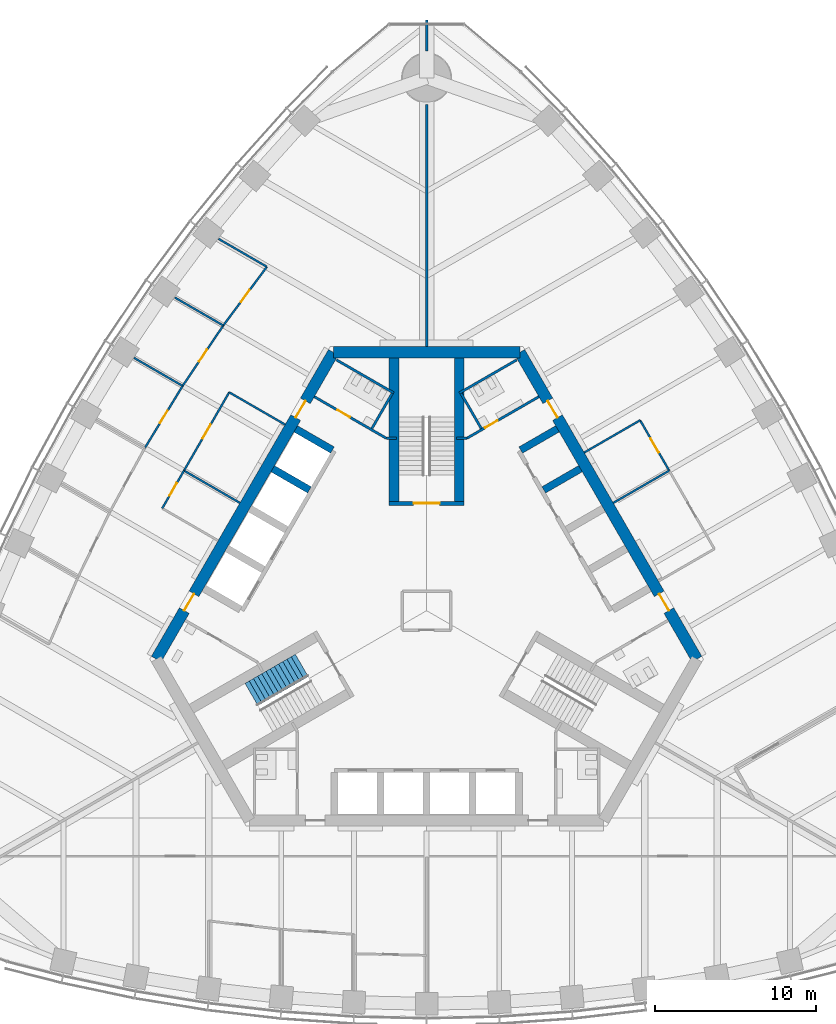
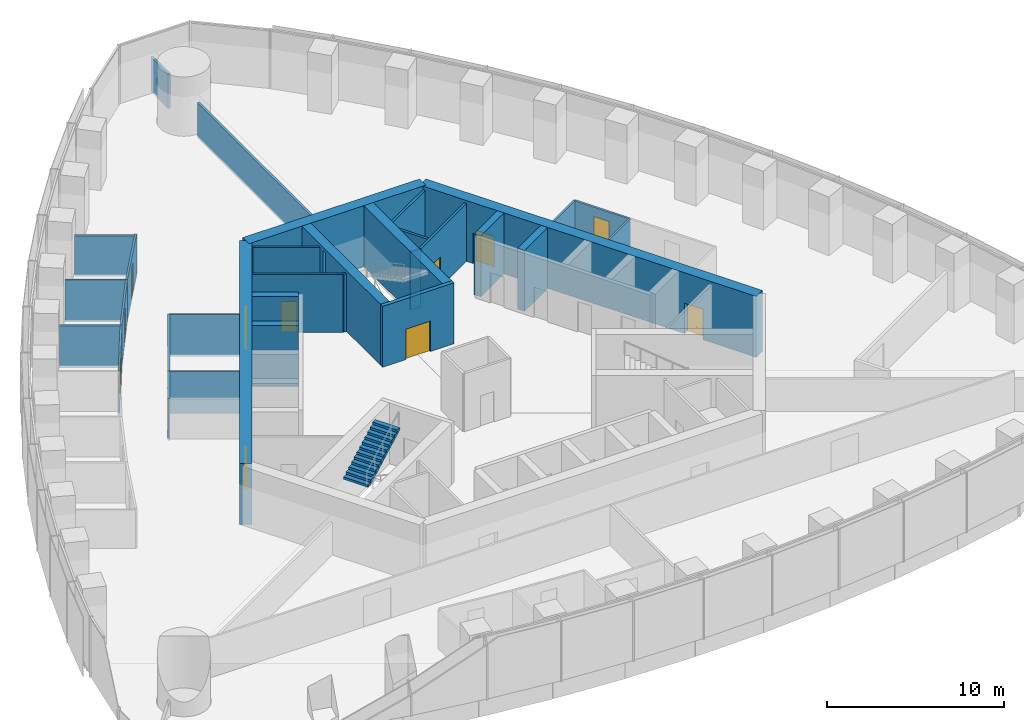
# One storey, part 13 of 19: 33 walls, 13 doors, 1 stair flight, 13 openings, 1 element without a shape of its own.
"""IFC4 building model written with IfcOpenShell, lengths in metres."""

from ifc_helpers import new_model, si_unit, direction, frame, frame_2d, origin, place, context, subcontext, project, spatial, polyline, rectangle, outline, extrude, material, layer, layer_set, type_object, element, fill, aggregate, save


model = new_model("IFC4")

# Units and contexts
model_context = context("Model", 3, precision=1e-05, world=origin(), true_north=direction((0.0, 1.0)))
body_context = subcontext(model_context, "Body", "Model", "MODEL_VIEW")
ifc_project = project(units=[si_unit("LENGTHUNIT", "METRE"), si_unit("AREAUNIT", "SQUARE_METRE"), si_unit("VOLUMEUNIT", "CUBIC_METRE"), si_unit("PLANEANGLEUNIT", "RADIAN"), si_unit("MASSUNIT", "GRAM", prefix="KILO")], contexts=[model_context])

# Site, building, storey
site_placement = place(None, origin())
site = spatial("IfcSite", under=ifc_project, at=site_placement, CompositionType="ELEMENT")
building_placement = place(site_placement, origin())
building = spatial("IfcBuilding", under=site, at=building_placement, Name="Trefoil Bronze Tower", CompositionType="ELEMENT")
storey_placement = place(building_placement, frame((0.0, 0.0, 244.300048828125)))
storey = spatial("IfcBuildingStorey", under=building, at=storey_placement, Name="L56", CompositionType="ELEMENT", Elevation=244.300048828125)

# Wall, openings, doors
ifc_material_1 = material(Name="Concrete B80", Category="concrete")
ifc_layer_1 = layer(ifc_material_1, 0.699951171875)
ifc_layer_set_1 = layer_set([ifc_layer_1], Name="Core wall 700")
wall_type_1 = type_object("IfcWallType", Name="Core wall 700", PredefinedType="SHEAR", material=ifc_layer_set_1)
wall_1_placement = place(storey_placement, frame((16.7431640625, -3.0, 0.0), z_axis=(0.0, 0.0, 1.0), x_axis=(-0.500002442456, 0.866023993627, 0.0)))
wall_1 = element("IfcWall", 1, at=wall_1_placement, inside=storey, type_object=wall_type_1, Name="Core long wall 2 L56", PredefinedType="SHEAR", context=body_context, shape_type="SweptSolid", body=[
    extrude(rectangle(XDim=21.939453125, YDim=0.699951171875, at=frame_2d((10.9697265625, 0.0))), origin(), (0.0, 0.0, 1.0), 4.199951171875),
])
opening_1_placement = place(wall_1_placement, frame((17.269775390625, 0.0, 0.0)))
opening_1 = element("IfcOpeningElement", 2, at=opening_1_placement, cuts=wall_1, Name="Opening D2", PredefinedType="OPENING", context=body_context, shape_type="SweptSolid", body=[
    extrude(rectangle(XDim=1.199951171875, YDim=2.10009765625, at=frame_2d((0.60009765625, 1.050048828125))), frame((0.0, 0.35986328125, 0.0), z_axis=(0.0, -1.0, 0.0), x_axis=(1.0, 0.0, 0.0)), (0.0, 0.0, 1.0), 0.719970703125),
])
opening_2_placement = place(wall_1_placement, frame((3.4697265625, 0.0, 0.0)))
opening_2 = element("IfcOpeningElement", 3, at=opening_2_placement, cuts=wall_1, Name="Opening D2", PredefinedType="OPENING", context=body_context, shape_type="SweptSolid", body=[
    extrude(rectangle(XDim=1.199951171875, YDim=2.10009765625, at=frame_2d((0.60009765625, 1.050048828125))), frame((0.0, 0.35986328125, 0.0), z_axis=(0.0, -1.0, 0.0), x_axis=(1.0, 0.0, 0.0)), (0.0, 0.0, 1.0), 0.719970703125),
])
ifc_material_2 = material(Name="Steel door", Category="steel")
door_type_1 = type_object("IfcDoorType", Name="Lobby door 1200", OperationType="SINGLE_SWING_RIGHT", PredefinedType="DOOR", material=ifc_material_2)
door_1_placement = place(opening_1_placement, origin())
door_1 = element("IfcDoor", 4, at=door_1_placement, inside=storey, type_object=door_type_1, Name="Lobby door F2+ L56", OperationType="SINGLE_SWING_RIGHT", OverallHeight=2.10009765625, OverallWidth=1.199951171875, PredefinedType="DOOR", context=body_context, shape_type="SweptSolid", body=[
    extrude(rectangle(XDim=1.199951171875, YDim=2.10009765625, at=frame_2d((0.60009765625, 1.050048828125))), frame((0.0, 0.02490234375, 0.0), z_axis=(0.0, -1.0, 0.0), x_axis=(1.0, 0.0, 0.0)), (0.0, 0.0, 1.0), 0.050048828125),
])
fill(opening_1, door_1)
door_2_placement = place(opening_2_placement, origin())
door_2 = element("IfcDoor", 5, at=door_2_placement, inside=storey, type_object=door_type_1, Name="Lobby door F2- L56", OperationType="SINGLE_SWING_LEFT", OverallHeight=2.10009765625, OverallWidth=1.199951171875, PredefinedType="DOOR", context=body_context, shape_type="SweptSolid", body=[
    extrude(rectangle(XDim=1.199951171875, YDim=2.10009765625, at=frame_2d((0.60009765625, 1.050048828125))), frame((0.0, 0.02490234375, 0.0), z_axis=(0.0, -1.0, 0.0), x_axis=(1.0, 0.0, 0.0)), (0.0, 0.0, 1.0), 0.050048828125),
])
fill(opening_2, door_2)

# Wall
wall_2_placement = place(storey_placement, frame((5.7734375, 16.0, 0.0), z_axis=(0.0, 0.0, 1.0), x_axis=(-1.0, 0.0, 0.0)))
element("IfcWall", 6, at=wall_2_placement, inside=storey, type_object=wall_type_1, Name="Core short wall 2 L56", PredefinedType="SHEAR", context=body_context, shape_type="SweptSolid", body=[
    extrude(rectangle(XDim=11.546875, YDim=0.699951171875, at=frame_2d((5.7734375, 0.0))), origin(), (0.0, 0.0, 1.0), 4.199951171875),
])

# Wall, openings, doors
wall_3_placement = place(storey_placement, frame((-5.7734375, 16.0, 0.0), z_axis=(0.0, 0.0, 1.0), x_axis=(-0.500002442456, -0.866023993627, 0.0)))
wall_3 = element("IfcWall", 7, at=wall_3_placement, inside=storey, type_object=wall_type_1, Name="Core long wall 3 L56", PredefinedType="SHEAR", context=body_context, shape_type="SweptSolid", body=[
    extrude(rectangle(XDim=21.939453125, YDim=0.699951171875, at=frame_2d((10.9697265625, 0.0))), origin(), (0.0, 0.0, 1.0), 4.199951171875),
])
opening_3_placement = place(wall_3_placement, frame((17.269775390625, 0.0, 0.0)))
opening_3 = element("IfcOpeningElement", 8, at=opening_3_placement, cuts=wall_3, Name="Opening D2", PredefinedType="OPENING", context=body_context, shape_type="SweptSolid", body=[
    extrude(rectangle(XDim=1.199951171875, YDim=2.10009765625, at=frame_2d((0.60009765625, 1.050048828125))), frame((0.0, 0.35986328125, 0.0), z_axis=(0.0, -1.0, 0.0), x_axis=(1.0, 0.0, 0.0)), (0.0, 0.0, 1.0), 0.719970703125),
])
opening_4_placement = place(wall_3_placement, frame((3.4697265625, 0.0, 0.0)))
opening_4 = element("IfcOpeningElement", 9, at=opening_4_placement, cuts=wall_3, Name="Opening D2", PredefinedType="OPENING", context=body_context, shape_type="SweptSolid", body=[
    extrude(rectangle(XDim=1.199951171875, YDim=2.10009765625, at=frame_2d((0.60009765625, 1.050048828125))), frame((0.0, 0.35986328125, 0.0), z_axis=(0.0, -1.0, 0.0), x_axis=(1.0, 0.0, 0.0)), (0.0, 0.0, 1.0), 0.719970703125),
])
door_3_placement = place(opening_3_placement, origin())
door_3 = element("IfcDoor", 10, at=door_3_placement, inside=storey, type_object=door_type_1, Name="Lobby door F3+ L56", OperationType="SINGLE_SWING_RIGHT", OverallHeight=2.10009765625, OverallWidth=1.199951171875, PredefinedType="DOOR", context=body_context, shape_type="SweptSolid", body=[
    extrude(rectangle(XDim=1.199951171875, YDim=2.10009765625, at=frame_2d((0.60009765625, 1.050048828125))), frame((0.0, 0.02490234375, 0.0), z_axis=(0.0, -1.0, 0.0), x_axis=(1.0, 0.0, 0.0)), (0.0, 0.0, 1.0), 0.050048828125),
])
fill(opening_3, door_3)
door_4_placement = place(opening_4_placement, origin())
door_4 = element("IfcDoor", 11, at=door_4_placement, inside=storey, type_object=door_type_1, Name="Lobby door F3- L56", OperationType="SINGLE_SWING_LEFT", OverallHeight=2.10009765625, OverallWidth=1.199951171875, PredefinedType="DOOR", context=body_context, shape_type="SweptSolid", body=[
    extrude(rectangle(XDim=1.199951171875, YDim=2.10009765625, at=frame_2d((0.60009765625, 1.050048828125))), frame((0.0, 0.02490234375, 0.0), z_axis=(0.0, -1.0, 0.0), x_axis=(1.0, 0.0, 0.0)), (0.0, 0.0, 1.0), 0.050048828125),
])
fill(opening_4, door_4)

# Wall, opening, door
ifc_material_3 = material(Name="Glazed partition", Category="glass")
ifc_layer_2 = layer(ifc_material_3, 0.1201171875)
ifc_layer_set_2 = layer_set([ifc_layer_2], Name="Glazed partition 120")
wall_type_2 = type_object("IfcWallType", Name="Glazed partition 120", PredefinedType="PARTITIONING", material=ifc_layer_set_2)
wall_4_placement = place(storey_placement, frame((15.025634765625, 8.675048828125, 0.0), z_axis=(0.0, 0.0, 1.0), x_axis=(-0.500012057535, 0.866018442252, 0.0)))
wall_4 = element("IfcWall", 12, at=wall_4_placement, inside=storey, type_object=wall_type_2, Name="Partition F2 L56", PredefinedType="PARTITIONING", context=body_context, shape_type="SweptSolid", body=[
    extrude(rectangle(XDim=3.60009765625, YDim=0.1201171875, at=frame_2d((1.800048828125, 0.0))), origin(), (0.0, 0.0, 1.0), 2.89990234375),
])
opening_5_placement = place(wall_4_placement, frame((1.300048828125, 0.0, 0.14990234375)))
opening_5 = element("IfcOpeningElement", 13, at=opening_5_placement, cuts=wall_4, Name="Opening D9", PredefinedType="OPENING", context=body_context, shape_type="SweptSolid", body=[
    extrude(rectangle(XDim=1.0, YDim=2.10009765625, at=frame_2d((0.5, 1.050048828125))), frame((0.0, 0.070068359375, 0.0), z_axis=(0.0, -1.0, 0.0), x_axis=(1.0, 0.0, 0.0)), (0.0, 0.0, 1.0), 0.14013671875),
])
ifc_material_4 = material(Name="Glazed timber door", Category="wood")
door_type_2 = type_object("IfcDoorType", Name="Meeting room door 1000", OperationType="SINGLE_SWING_LEFT", PredefinedType="DOOR", material=ifc_material_4)
door_5_placement = place(opening_5_placement, origin())
door_5 = element("IfcDoor", 14, at=door_5_placement, inside=storey, type_object=door_type_2, Name="Meeting room door F2 L56", OperationType="SINGLE_SWING_LEFT", OverallHeight=2.10009765625, OverallWidth=1.0, PredefinedType="DOOR", context=body_context, shape_type="SweptSolid", body=[
    extrude(rectangle(XDim=1.0, YDim=2.10009765625, at=frame_2d((0.5, 1.050048828125))), frame((0.0, 0.02490234375, 0.0), z_axis=(0.0, -1.0, 0.0), x_axis=(1.0, 0.0, 0.0)), (0.0, 0.0, 1.0), 0.050048828125),
])
fill(opening_5, door_5)

# Walls
for number, where, z_axis, x_axis, name in (
    (15, (9.761474609375, 9.792724609375, 0.0), (0.0, 0.0, 1.0), (0.866026010844, 0.49999894854, 0.0), "Partition F2 L56"),
    (16, (11.5615234375, 6.675048828125, 0.0), (0.0, 0.0, 1.0), (0.866026010844, 0.49999894854, 0.0), "Partition F2 L56"),
):
    element("IfcWall", number, at=place(storey_placement, frame(where, z_axis=z_axis, x_axis=x_axis)), inside=storey, type_object=wall_type_2, Name=name, PredefinedType="PARTITIONING", context=body_context, shape_type="SweptSolid", body=[
        extrude(rectangle(XDim=4.0, YDim=0.1201171875, at=frame_2d((2.0, 0.0))), origin(), (0.0, 0.0, 1.0), 2.89990234375),
    ])

# Wall, opening, door
wall_5_placement = place(storey_placement, frame((-15.025634765625, 8.675048828125, 0.0), z_axis=(0.0, 0.0, 1.0), x_axis=(-0.4999416173, -0.866059108428, 0.0)))
wall_5 = element("IfcWall", 17, at=wall_5_placement, inside=storey, type_object=wall_type_2, Name="Partition F3 L56", PredefinedType="PARTITIONING", context=body_context, shape_type="SweptSolid", body=[
    extrude(rectangle(XDim=2.699951171875, YDim=0.1201171875, at=frame_2d((1.35009765625, 0.0))), origin(), (0.0, 0.0, 1.0), 2.89990234375),
])
opening_6_placement = place(wall_5_placement, frame((0.89990234375, 0.0, 0.14990234375)))
opening_6 = element("IfcOpeningElement", 18, at=opening_6_placement, cuts=wall_5, Name="Opening D8", PredefinedType="OPENING", context=body_context, shape_type="SweptSolid", body=[
    extrude(rectangle(XDim=0.89990234375, YDim=2.10009765625, at=frame_2d((0.449951171875, 1.050048828125))), frame((0.0, 0.070068359375, 0.0), z_axis=(0.0, -1.0, 0.0), x_axis=(1.0, 0.0, 0.0)), (0.0, 0.0, 1.0), 0.14013671875),
])
ifc_material_5 = material(Name="Timber door", Category="wood")
door_type_3 = type_object("IfcDoorType", Name="Office door 900", OperationType="SINGLE_SWING_LEFT", PredefinedType="DOOR", material=ifc_material_5)
door_6_placement = place(opening_6_placement, origin())
door_6 = element("IfcDoor", 19, at=door_6_placement, inside=storey, type_object=door_type_3, Name="Pantry door F3 L56", OperationType="SINGLE_SWING_RIGHT", OverallHeight=2.10009765625, OverallWidth=0.89990234375, PredefinedType="DOOR", context=body_context, shape_type="SweptSolid", body=[
    extrude(rectangle(XDim=0.89990234375, YDim=2.10009765625, at=frame_2d((0.449951171875, 1.050048828125))), frame((0.0, 0.02490234375, 0.0), z_axis=(0.0, -1.0, 0.0), x_axis=(1.0, 0.0, 0.0)), (0.0, 0.0, 1.0), 0.050048828125),
])
fill(opening_6, door_6)

wall_6_placement = place(storey_placement, frame((-12.2255859375, 13.524658203125, 0.0), z_axis=(0.0, 0.0, 1.0), x_axis=(-0.500016814911, -0.866015695474, 0.0)))
wall_6 = element("IfcWall", 20, at=wall_6_placement, inside=storey, type_object=wall_type_2, Name="Partition F3 L56", PredefinedType="PARTITIONING", context=body_context, shape_type="SweptSolid", body=[
    extrude(rectangle(XDim=5.599853515625, YDim=0.1201171875, at=frame_2d((2.7998046875, 0.0))), origin(), (0.0, 0.0, 1.0), 2.89990234375),
])
opening_7_placement = place(wall_6_placement, frame((2.300048828125, 0.0, 0.14990234375)))
opening_7 = element("IfcOpeningElement", 21, at=opening_7_placement, cuts=wall_6, Name="Opening D9", PredefinedType="OPENING", context=body_context, shape_type="SweptSolid", body=[
    extrude(rectangle(XDim=1.0, YDim=2.10009765625, at=frame_2d((0.5, 1.050048828125))), frame((0.0, 0.070068359375, 0.0), z_axis=(0.0, -1.0, 0.0), x_axis=(1.0, 0.0, 0.0)), (0.0, 0.0, 1.0), 0.14013671875),
])
door_7_placement = place(opening_7_placement, origin())
door_7 = element("IfcDoor", 22, at=door_7_placement, inside=storey, type_object=door_type_2, Name="Meeting room door F3 L56", OperationType="SINGLE_SWING_RIGHT", OverallHeight=2.10009765625, OverallWidth=1.0, PredefinedType="DOOR", context=body_context, shape_type="SweptSolid", body=[
    extrude(rectangle(XDim=1.0, YDim=2.10009765625, at=frame_2d((0.5, 1.050048828125))), frame((0.0, 0.02490234375, 0.0), z_axis=(0.0, -1.0, 0.0), x_axis=(1.0, 0.0, 0.0)), (0.0, 0.0, 1.0), 0.050048828125),
])
fill(opening_7, door_7)

# Walls
for number, where, z_axis, x_axis, name in (
    (23, (-11.5615234375, 6.675048828125, 0.0), (0.0, 0.0, 1.0), (-0.866026010844, 0.49999894854, 0.0), "Partition F3 L56"),
    (24, (-8.761474609375, 11.524658203125, 0.0), (0.0, 0.0, 1.0), (-0.866026010844, 0.49999894854, 0.0), "Partition F3 L56"),
):
    element("IfcWall", number, at=place(storey_placement, frame(where, z_axis=z_axis, x_axis=x_axis)), inside=storey, type_object=wall_type_2, Name=name, PredefinedType="PARTITIONING", context=body_context, shape_type="SweptSolid", body=[
        extrude(rectangle(XDim=4.0, YDim=0.1201171875, at=frame_2d((2.0, 0.0))), origin(), (0.0, 0.0, 1.0), 2.89990234375),
    ])

# Wall, opening, door
wall_7_placement = place(storey_placement, frame((-9.8916015625, 21.29931640625, 0.0), z_axis=(0.0, 0.0, 1.0), x_axis=(-0.596173167565, -0.802855873912, 0.0)))
wall_7 = element("IfcWall", 25, at=wall_7_placement, inside=storey, type_object=wall_type_2, Name="Partition F3 L56", PredefinedType="PARTITIONING", context=body_context, shape_type="SweptSolid", body=[
    extrude(rectangle(XDim=4.530029296875, YDim=0.1201171875, at=frame_2d((2.26513671875, 0.0))), origin(), (0.0, 0.0, 1.0), 2.89990234375),
])
opening_8_placement = place(wall_7_placement, frame((1.800048828125, 0.0, 0.14990234375)))
opening_8 = element("IfcOpeningElement", 26, at=opening_8_placement, cuts=wall_7, Name="Opening D8", PredefinedType="OPENING", context=body_context, shape_type="SweptSolid", body=[
    extrude(rectangle(XDim=0.89990234375, YDim=2.10009765625, at=frame_2d((0.449951171875, 1.050048828125))), frame((0.0, 0.070068359375, 0.0), z_axis=(0.0, -1.0, 0.0), x_axis=(1.0, 0.0, 0.0)), (0.0, 0.0, 1.0), 0.14013671875),
])
door_8_placement = place(opening_8_placement, frame((0.89990234375, 0.0, 0.0), z_axis=(0.0, 0.0, 1.0), x_axis=(-1.0, 0.0, 0.0)))
door_8 = element("IfcDoor", 27, at=door_8_placement, inside=storey, type_object=door_type_3, Name="Office door F3 L56", OperationType="SINGLE_SWING_RIGHT", OverallHeight=2.10009765625, OverallWidth=0.89990234375, PredefinedType="DOOR", context=body_context, shape_type="SweptSolid", body=[
    extrude(rectangle(XDim=0.89990234375, YDim=2.10009765625, at=frame_2d((0.449951171875, 1.050048828125))), frame((0.0, 0.02490234375, 0.0), z_axis=(0.0, -1.0, 0.0), x_axis=(1.0, 0.0, 0.0)), (0.0, 0.0, 1.0), 0.050048828125),
])
fill(opening_8, door_8)

wall_8_placement = place(storey_placement, frame((-15.111328125, 13.920654296875, 0.0), z_axis=(0.0, 0.0, 1.0), x_axis=(-0.519790350351, -0.85429385558, 0.0)))
wall_8 = element("IfcWall", 28, at=wall_8_placement, inside=storey, type_object=wall_type_2, Name="Partition F3 L56", PredefinedType="PARTITIONING", context=body_context, shape_type="SweptSolid", body=[
    extrude(rectangle(XDim=4.5009765625, YDim=0.1201171875, at=frame_2d((2.25048828125, 0.0))), origin(), (0.0, 0.0, 1.0), 2.89990234375),
])
opening_9_placement = place(wall_8_placement, frame((1.800048828125, 0.0, 0.14990234375)))
opening_9 = element("IfcOpeningElement", 29, at=opening_9_placement, cuts=wall_8, Name="Opening D8", PredefinedType="OPENING", context=body_context, shape_type="SweptSolid", body=[
    extrude(rectangle(XDim=0.89990234375, YDim=2.10009765625, at=frame_2d((0.449951171875, 1.050048828125))), frame((0.0, 0.070068359375, 0.0), z_axis=(0.0, -1.0, 0.0), x_axis=(1.0, 0.0, 0.0)), (0.0, 0.0, 1.0), 0.14013671875),
])
door_9_placement = place(opening_9_placement, frame((0.89990234375, 0.0, 0.0), z_axis=(0.0, 0.0, 1.0), x_axis=(-1.0, 0.0, 0.0)))
door_9 = element("IfcDoor", 30, at=door_9_placement, inside=storey, type_object=door_type_3, Name="Office door F3 L56", OperationType="SINGLE_SWING_RIGHT", OverallHeight=2.10009765625, OverallWidth=0.89990234375, PredefinedType="DOOR", context=body_context, shape_type="SweptSolid", body=[
    extrude(rectangle(XDim=0.89990234375, YDim=2.10009765625, at=frame_2d((0.449951171875, 1.050048828125))), frame((0.0, 0.02490234375, 0.0), z_axis=(0.0, -1.0, 0.0), x_axis=(1.0, 0.0, 0.0)), (0.0, 0.0, 1.0), 0.050048828125),
])
fill(opening_9, door_9)

wall_9_placement = place(storey_placement, frame((-12.59228515625, 17.662353515625, 0.0), z_axis=(0.0, 0.0, 1.0), x_axis=(-0.558466624917, -0.829526991034, 0.0)))
wall_9 = element("IfcWall", 31, at=wall_9_placement, inside=storey, type_object=wall_type_2, Name="Partition F3 L56", PredefinedType="PARTITIONING", context=body_context, shape_type="SweptSolid", body=[
    extrude(rectangle(XDim=4.5107421875, YDim=0.1201171875, at=frame_2d((2.25537109375, 0.0))), origin(), (0.0, 0.0, 1.0), 2.89990234375),
])
opening_10_placement = place(wall_9_placement, frame((1.800048828125, 0.0, 0.14990234375)))
opening_10 = element("IfcOpeningElement", 32, at=opening_10_placement, cuts=wall_9, Name="Opening D8", PredefinedType="OPENING", context=body_context, shape_type="SweptSolid", body=[
    extrude(rectangle(XDim=0.89990234375, YDim=2.10009765625, at=frame_2d((0.449951171875, 1.050048828125))), frame((0.0, 0.070068359375, 0.0), z_axis=(0.0, -1.0, 0.0), x_axis=(1.0, 0.0, 0.0)), (0.0, 0.0, 1.0), 0.14013671875),
])
door_10_placement = place(opening_10_placement, frame((0.89990234375, 0.0, 0.0), z_axis=(0.0, 0.0, 1.0), x_axis=(-1.0, 0.0, 0.0)))
door_10 = element("IfcDoor", 33, at=door_10_placement, inside=storey, type_object=door_type_3, Name="Office door F3 L56", OperationType="SINGLE_SWING_RIGHT", OverallHeight=2.10009765625, OverallWidth=0.89990234375, PredefinedType="DOOR", context=body_context, shape_type="SweptSolid", body=[
    extrude(rectangle(XDim=0.89990234375, YDim=2.10009765625, at=frame_2d((0.449951171875, 1.050048828125))), frame((0.0, 0.02490234375, 0.0), z_axis=(0.0, -1.0, 0.0), x_axis=(1.0, 0.0, 0.0)), (0.0, 0.0, 1.0), 0.050048828125),
])
fill(opening_10, door_10)

# Walls
wall_10_placement = place(storey_placement, frame((-9.8916015625, 21.29931640625, 0.0), z_axis=(0.0, 0.0, 1.0), x_axis=(-0.866012622712, 0.500022136814, 0.0)))
element("IfcWall", 34, at=wall_10_placement, inside=storey, type_object=wall_type_2, Name="Partition F3 L56", PredefinedType="PARTITIONING", context=body_context, shape_type="SweptSolid", body=[
    extrude(rectangle(XDim=3.455322265625, YDim=0.1201171875, at=frame_2d((1.7275390625, 0.0))), origin(), (0.0, 0.0, 1.0), 2.800048828125),
])
wall_11_placement = place(storey_placement, frame((-15.111328125, 13.920654296875, 0.0), z_axis=(0.0, 0.0, 1.0), x_axis=(-0.866016800201, 0.500014901547, 0.0)))
element("IfcWall", 35, at=wall_11_placement, inside=storey, type_object=wall_type_2, Name="Partition F3 L56", PredefinedType="PARTITIONING", context=body_context, shape_type="SweptSolid", body=[
    extrude(rectangle(XDim=3.46875, YDim=0.1201171875, at=frame_2d((1.734375, 0.0))), origin(), (0.0, 0.0, 1.0), 2.89990234375),
])
wall_12_placement = place(storey_placement, frame((-12.59228515625, 17.662353515625, 0.0), z_axis=(0.0, 0.0, 1.0), x_axis=(-0.866004813252, 0.500035662153, 0.0)))
element("IfcWall", 36, at=wall_12_placement, inside=storey, type_object=wall_type_2, Name="Partition F3 L56", PredefinedType="PARTITIONING", context=body_context, shape_type="SweptSolid", body=[
    extrude(rectangle(XDim=3.463623046875, YDim=0.1201171875, at=frame_2d((1.73193359375, 0.0))), origin(), (0.0, 0.0, 1.0), 2.89990234375),
])
ifc_material_6 = material(Name="Concrete B80", Category="concrete")
ifc_layer_3 = layer(ifc_material_6, 0.449951171875)
ifc_layer_set_3 = layer_set([ifc_layer_3], Name="Outrigger shaft wall 450")
wall_type_3 = type_object("IfcWallType", Name="Outrigger shaft wall 450", PredefinedType="SHEAR", material=ifc_layer_set_3)
for number, where, z_axis, x_axis, name in (
    (37, (7.2568359375, 7.480712890625, 0.0), (0.0, 0.0, 1.0), (0.866036909293, 0.499980071345, 0.0), "Lift shaft side wall B3 L56"),
    (38, (5.831787109375, 9.94873046875, 0.0), (0.0, 0.0, 1.0), (0.866036909293, 0.499980071345, 0.0), "Lift shaft side wall B4 L56"),
    (39, (-5.831787109375, 9.94873046875, 0.0), (0.0, 0.0, 1.0), (-0.866036909293, 0.499980071345, 0.0), "Lift shaft side wall C0 L56"),
    (40, (-7.2568359375, 7.480712890625, 0.0), (0.0, 0.0, 1.0), (-0.866036909293, 0.499980071345, 0.0), "Lift shaft side wall C1 L56"),
):
    element("IfcWall", number, at=place(storey_placement, frame(where, z_axis=z_axis, x_axis=x_axis)), inside=storey, type_object=wall_type_3, Name=name, PredefinedType="SHEAR", context=body_context, shape_type="SweptSolid", body=[
        extrude(rectangle(XDim=2.625, YDim=0.449951171875, at=frame_2d((1.3125, 0.0))), origin(), (0.0, 0.0, 1.0), 4.199951171875),
    ])

# Wall, opening, door
ifc_material_7 = material(Name="Gypsum board on steel studs", Category="steel")
ifc_layer_4 = layer(ifc_material_7, 0.14990234375)
ifc_layer_set_4 = layer_set([ifc_layer_4], Name="Partition 150")
wall_type_4 = type_object("IfcWallType", Name="Partition 150", PredefinedType="PARTITIONING", material=ifc_layer_set_4)
wall_13_placement = place(storey_placement, frame((2.4951171875, 10.67822265625, 0.0), z_axis=(0.0, 0.0, 1.0), x_axis=(0.866037967349, 0.499978238636, 0.0)))
wall_13 = element("IfcWall", 41, at=wall_13_placement, inside=storey, type_object=wall_type_4, Name="Passage wall F2+ L56", PredefinedType="PARTITIONING", context=body_context, shape_type="SweptSolid", body=[
    extrude(rectangle(XDim=5.150146484375, YDim=0.14990234375, at=frame_2d((2.5751953125, 0.0))), origin(), (0.0, 0.0, 1.0), 4.0),
])
opening_11_placement = place(wall_13_placement, frame((1.300048828125, 0.0, 0.0)))
opening_11 = element("IfcOpeningElement", 42, at=opening_11_placement, cuts=wall_13, Name="Opening D3", PredefinedType="OPENING", context=body_context, shape_type="SweptSolid", body=[
    extrude(rectangle(XDim=0.89990234375, YDim=2.10009765625, at=frame_2d((0.449951171875, 1.050048828125))), frame((0.0, 0.0849609375, 0.0), z_axis=(0.0, -1.0, 0.0), x_axis=(1.0, 0.0, 0.0)), (0.0, 0.0, 1.0), 0.169921875),
])
ifc_material_8 = material(Name="Timber door", Category="wood")
door_type_4 = type_object("IfcDoorType", Name="WC door 900", OperationType="SINGLE_SWING_LEFT", PredefinedType="DOOR", material=ifc_material_8)
door_11_placement = place(opening_11_placement, origin())
door_11 = element("IfcDoor", 43, at=door_11_placement, inside=storey, type_object=door_type_4, Name="WC (men) door L56", OperationType="SINGLE_SWING_LEFT", OverallHeight=2.10009765625, OverallWidth=0.89990234375, PredefinedType="DOOR", context=body_context, shape_type="SweptSolid", body=[
    extrude(rectangle(XDim=0.89990234375, YDim=2.10009765625, at=frame_2d((0.449951171875, 1.050048828125))), frame((0.0, 0.02490234375, 0.0), z_axis=(0.0, -1.0, 0.0), x_axis=(1.0, 0.0, 0.0)), (0.0, 0.0, 1.0), 0.050048828125),
])
fill(opening_11, door_11)

wall_14_placement = place(storey_placement, frame((-2.4951171875, 10.67822265625, 0.0), z_axis=(0.0, 0.0, 1.0), x_axis=(-0.866037967349, 0.499978238636, 0.0)))
wall_14 = element("IfcWall", 44, at=wall_14_placement, inside=storey, type_object=wall_type_4, Name="Passage wall F3- L56", PredefinedType="PARTITIONING", context=body_context, shape_type="SweptSolid", body=[
    extrude(rectangle(XDim=5.150146484375, YDim=0.14990234375, at=frame_2d((2.5751953125, 0.0))), origin(), (0.0, 0.0, 1.0), 4.0),
])
opening_12_placement = place(wall_14_placement, frame((2.60009765625, 0.0, 0.0)))
opening_12 = element("IfcOpeningElement", 45, at=opening_12_placement, cuts=wall_14, Name="Opening D3", PredefinedType="OPENING", context=body_context, shape_type="SweptSolid", body=[
    extrude(rectangle(XDim=0.89990234375, YDim=2.10009765625, at=frame_2d((0.449951171875, 1.050048828125))), frame((0.0, 0.0849609375, 0.0), z_axis=(0.0, -1.0, 0.0), x_axis=(1.0, 0.0, 0.0)), (0.0, 0.0, 1.0), 0.169921875),
])
door_12_placement = place(opening_12_placement, frame((0.89990234375, 0.0, 0.0), z_axis=(0.0, 0.0, 1.0), x_axis=(-1.0, 0.0, 0.0)))
door_12 = element("IfcDoor", 46, at=door_12_placement, inside=storey, type_object=door_type_4, Name="WC (women) door L56", OperationType="SINGLE_SWING_RIGHT", OverallHeight=2.10009765625, OverallWidth=0.89990234375, PredefinedType="DOOR", context=body_context, shape_type="SweptSolid", body=[
    extrude(rectangle(XDim=0.89990234375, YDim=2.10009765625, at=frame_2d((0.449951171875, 1.050048828125))), frame((0.0, 0.02490234375, 0.0), z_axis=(0.0, -1.0, 0.0), x_axis=(1.0, 0.0, 0.0)), (0.0, 0.0, 1.0), 0.050048828125),
])
fill(opening_12, door_12)

# Walls
for number, where, z_axis, x_axis, name in (
    (47, (2.4951171875, 10.67822265625, 0.0), (0.0, 0.0, 1.0), (-1.0, 0.0, 0.0), "WC wall ST2-1 L56"),
    (48, (-2.4951171875, 10.67822265625, 0.0), (0.0, 0.0, 1.0), (1.0, 0.0, 0.0), "WC wall ST2+1 L56"),
):
    element("IfcWall", number, at=place(storey_placement, frame(where, z_axis=z_axis, x_axis=x_axis)), inside=storey, type_object=wall_type_4, Name=name, PredefinedType="PARTITIONING", context=body_context, shape_type="SweptSolid", body=[
        extrude(rectangle(XDim=0.64501953125, YDim=0.14990234375, at=frame_2d((0.322509765625, 0.0))), origin(), (0.0, 0.0, 1.0), 4.0),
    ])
wall_15_placement = place(storey_placement, frame((2.03125, 13.48193359375, 0.0), z_axis=(0.0, 0.0, 1.0), x_axis=(0.866050731258, 0.499956128963, 0.0)))
element("IfcWall", 49, at=wall_15_placement, inside=storey, type_object=wall_type_4, Name="WC partition WC (men) L56", PredefinedType="PARTITIONING", context=body_context, shape_type="SweptSolid", body=[
    extrude(rectangle(XDim=4.099853515625, YDim=0.14990234375, at=frame_2d((2.0498046875, 0.0))), origin(), (0.0, 0.0, 1.0), 4.0),
])
wall_16_placement = place(storey_placement, frame((3.388671875, 11.28076171875, 0.0), z_axis=(0.0, 0.0, 1.0), x_axis=(-0.499989096993, 0.866031698547, 0.0)))
element("IfcWall", 50, at=wall_16_placement, inside=storey, type_object=wall_type_4, Name="WC partition WC (men) L56", PredefinedType="PARTITIONING", context=body_context, shape_type="SweptSolid", body=[
    extrude(rectangle(XDim=2.509765625, YDim=0.14990234375, at=frame_2d((1.2548828125, 0.0))), origin(), (0.0, 0.0, 1.0), 4.0),
])
wall_17_placement = place(storey_placement, frame((-2.03125, 13.48193359375, 0.0), z_axis=(0.0, 0.0, 1.0), x_axis=(-0.866050731258, 0.499956128963, 0.0)))
element("IfcWall", 51, at=wall_17_placement, inside=storey, type_object=wall_type_4, Name="WC partition WC (women) L56", PredefinedType="PARTITIONING", context=body_context, shape_type="SweptSolid", body=[
    extrude(rectangle(XDim=4.099853515625, YDim=0.14990234375, at=frame_2d((2.0498046875, 0.0))), origin(), (0.0, 0.0, 1.0), 4.0),
])
wall_18_placement = place(storey_placement, frame((-3.388671875, 11.28076171875, 0.0), z_axis=(0.0, 0.0, 1.0), x_axis=(0.499989096993, 0.866031698547, 0.0)))
element("IfcWall", 52, at=wall_18_placement, inside=storey, type_object=wall_type_4, Name="WC partition WC (women) L56", PredefinedType="PARTITIONING", context=body_context, shape_type="SweptSolid", body=[
    extrude(rectangle(XDim=2.509765625, YDim=0.14990234375, at=frame_2d((1.2548828125, 0.0))), origin(), (0.0, 0.0, 1.0), 4.0),
])
ifc_material_9 = material(Name="Gypsum board on steel studs", Category="steel")
ifc_layer_5 = layer(ifc_material_9, 0.14990234375)
ifc_layer_set_5 = layer_set([ifc_layer_5], Name="Party wall 150")
wall_type_5 = type_object("IfcWallType", Name="Party wall 150", PredefinedType="PARTITIONING", material=ifc_layer_set_5)
wall_19_placement = place(storey_placement, frame((0.0, 16.35009765625, 0.0), z_axis=(0.0, 0.0, 1.0), x_axis=(0.0, 1.0, 0.0)))
element("IfcWall", 53, at=wall_19_placement, inside=storey, type_object=wall_type_5, Name="Party wall K2 L56", PredefinedType="PARTITIONING", context=body_context, shape_type="SweptSolid", body=[
    extrude(rectangle(XDim=15.0, YDim=0.14990234375, at=frame_2d((7.5, 0.0))), origin(), (0.0, 0.0, 1.0), 2.39990234375),
])
wall_20_placement = place(storey_placement, frame((0.0, 34.64990234375, 0.0), z_axis=(0.0, 0.0, 1.0), x_axis=(0.0, 1.0, 0.0)))
element("IfcWall", 54, at=wall_20_placement, inside=storey, type_object=wall_type_5, Name="Party wall K2 L56", PredefinedType="PARTITIONING", context=body_context, shape_type="SweptSolid", body=[
    extrude(rectangle(XDim=1.934814453125, YDim=0.14990234375, at=frame_2d((0.96728515625, 0.0))), origin(), (0.0, 0.0, 1.0), 2.39990234375),
])

# Wall, opening, door
ifc_material_10 = material(Name="Concrete B80", Category="concrete")
ifc_layer_6 = layer(ifc_material_10, 0.25)
ifc_layer_set_6 = layer_set([ifc_layer_6], Name="Shaft wall 250")
wall_type_6 = type_object("IfcWallType", Name="Shaft wall 250", PredefinedType="SHEAR", material=ifc_layer_set_6)
wall_21_placement = place(storey_placement, frame((2.324951171875, 6.64990234375, 0.0), z_axis=(0.0, 0.0, 1.0), x_axis=(-1.0, 0.0, 0.0)))
wall_21 = element("IfcWall", 55, at=wall_21_placement, inside=storey, type_object=wall_type_6, Name="Stair end wall ST2 L56", PredefinedType="SHEAR", context=body_context, shape_type="SweptSolid", body=[
    extrude(rectangle(XDim=4.64990234375, YDim=0.25, at=frame_2d((2.324951171875, 0.0))), origin(), (0.0, 0.0, 1.0), 4.199951171875),
])
opening_13_placement = place(wall_21_placement, frame((1.52490234375, 0.0, 0.0)))
opening_13 = element("IfcOpeningElement", 56, at=opening_13_placement, cuts=wall_21, Name="Opening D1", PredefinedType="OPENING", context=body_context, shape_type="SweptSolid", body=[
    extrude(rectangle(XDim=1.60009765625, YDim=2.10009765625, at=frame_2d((0.800048828125, 1.050048828125))), frame((0.0, 0.135009765625, 0.0), z_axis=(0.0, -1.0, 0.0), x_axis=(1.0, 0.0, 0.0)), (0.0, 0.0, 1.0), 0.27001953125),
])
ifc_material_11 = material(Name="Steel door", Category="steel")
door_type_5 = type_object("IfcDoorType", Name="Stair door 1600", OperationType="DOUBLE_DOOR_SINGLE_SWING", PredefinedType="DOOR", material=ifc_material_11)
door_13_placement = place(opening_13_placement, frame((1.60009765625, 0.0, 0.0), z_axis=(0.0, 0.0, 1.0), x_axis=(-1.0, 0.0, 0.0)))
door_13 = element("IfcDoor", 57, at=door_13_placement, inside=storey, type_object=door_type_5, Name="Stair door ST2 L56", OperationType="DOUBLE_DOOR_SINGLE_SWING", OverallHeight=2.10009765625, OverallWidth=1.60009765625, PredefinedType="DOOR", context=body_context, shape_type="SweptSolid", body=[
    extrude(rectangle(XDim=1.60009765625, YDim=2.10009765625, at=frame_2d((0.800048828125, 1.050048828125))), frame((0.0, 0.02490234375, 0.0), z_axis=(0.0, -1.0, 0.0), x_axis=(1.0, 0.0, 0.0)), (0.0, 0.0, 1.0), 0.050048828125),
])
fill(opening_13, door_13)

# Walls
ifc_material_12 = material(Name="Concrete B80", Category="concrete")
ifc_layer_7 = layer(ifc_material_12, 0.60009765625)
ifc_layer_set_7 = layer_set([ifc_layer_7], Name="Stair wall 600")
wall_type_7 = type_object("IfcWallType", Name="Stair wall 600", PredefinedType="SHEAR", material=ifc_layer_set_7)
for number, where, z_axis, x_axis, name in (
    (58, (2.02490234375, 6.52490234375, 0.0), (0.0, 0.0, 1.0), (0.0, 1.0, 0.0), "Stair wall ST2 L56"),
    (59, (-2.02490234375, 6.52490234375, 0.0), (0.0, 0.0, 1.0), (0.0, 1.0, 0.0), "Stair wall ST2 L56"),
):
    element("IfcWall", number, at=place(storey_placement, frame(where, z_axis=z_axis, x_axis=x_axis)), inside=storey, type_object=wall_type_7, Name=name, PredefinedType="SHEAR", context=body_context, shape_type="SweptSolid", body=[
        extrude(rectangle(XDim=9.125, YDim=0.60009765625, at=frame_2d((4.5625, 0.0))), origin(), (0.0, 0.0, 1.0), 4.199951171875),
    ])

# Stair, stair flight
ifc_material_13 = material(Name="Precast concrete B80", Category="concrete")
stair_type = type_object("IfcStairType", Name="Exit stair 26 risers", PredefinedType="HALF_TURN_STAIR", material=ifc_material_13)
stair_placement = place(storey_placement, origin())
stair = element("IfcStair", 60, at=stair_placement, inside=storey, type_object=stair_type, Name="Stair ST3 L56", PredefinedType="HALF_TURN_STAIR")
ifc_material_14 = material(Name="Precast concrete B80", Category="concrete")
stair_flight_type = type_object("IfcStairFlightType", Name="Stair flight 1600", PredefinedType="STRAIGHT", material=ifc_material_14)
stair_flight_placement = place(storey_placement, frame((-10.84619140625, -5.19384765625, 2.099853515625), z_axis=(0.0, 0.0, 1.0), x_axis=(0.866025403784, 0.5, 0.0)))
stair_flight = element("IfcStairFlight", 61, at=stair_flight_placement, type_object=stair_flight_type, Name="ST3 flight 2", NumberOfRisers=13, NumberOfTreads=12, PredefinedType="STRAIGHT", RiserHeight=0.161538462, TreadLength=0.3, context=body_context, shape_type="SweptSolid", body=[
    extrude(outline(polyline([(0.0, 0.0), (0.0, 0.16162109375), (0.300048828125, 0.16162109375), (0.300048828125, 0.322998046875), (0.60009765625, 0.322998046875), (0.60009765625, 0.484619140625), (0.89990234375, 0.484619140625), (0.89990234375, 0.646240234375), (1.199951171875, 0.646240234375), (1.199951171875, 0.8076171875), (1.5, 0.8076171875), (1.5, 0.96923828125), (1.800048828125, 0.96923828125), (1.800048828125, 1.130859375), (2.10009765625, 1.130859375), (2.10009765625, 1.292236328125), (2.39990234375, 1.292236328125), (2.39990234375, 1.453857421875), (2.699951171875, 1.453857421875), (2.699951171875, 1.615478515625), (3.0, 1.615478515625), (3.0, 1.77685546875), (3.300048828125, 1.77685546875), (3.300048828125, 1.9384765625), (3.60009765625, 1.9384765625), (3.60009765625, 2.10009765625), (3.60009765625, 1.768310546875), (0.316162109375, 0.0), (0.0, 0.0)])), frame((0.0, 0.800048828125, 0.0), z_axis=(0.0, -1.0, 0.0), x_axis=(1.0, 0.0, 0.0)), (0.0, 0.0, 1.0), 1.60009765625),
])
aggregate(stair, [stair_flight])

save(model, "model.ifc")
